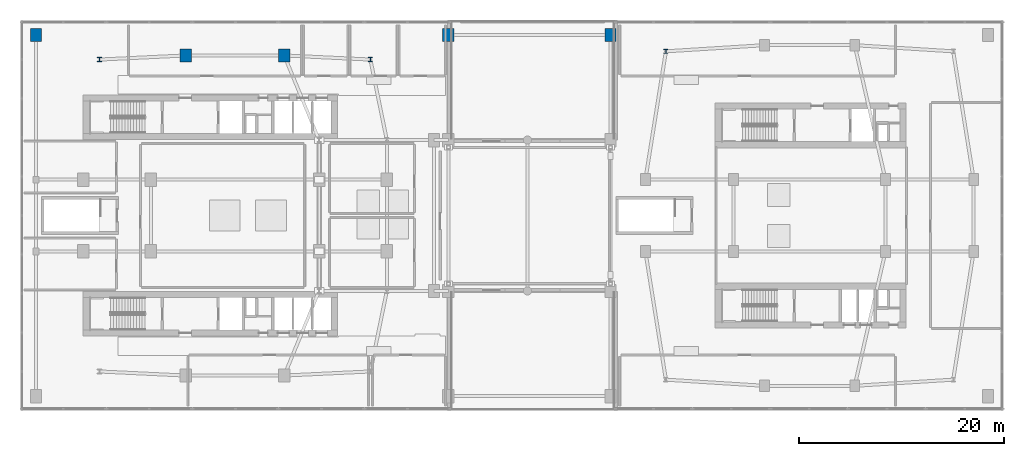
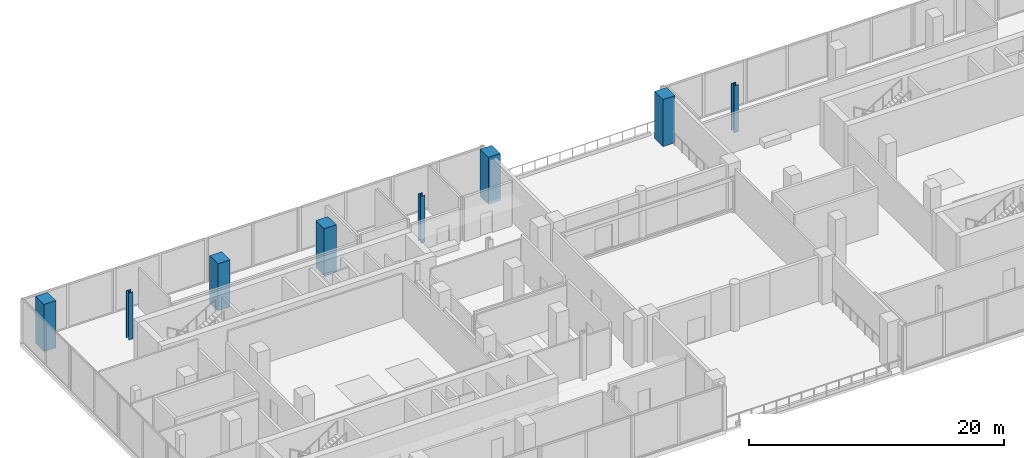
# One storey, part 2 of 21: 8 columns.
"""IFC4 building model written with IfcOpenShell, lengths in metres."""

from ifc_helpers import new_model, si_unit, derived_unit, direction, frame, origin, origin_2d, place, context, subcontext, project, spatial, rectangle, i_section, extrude, material, material_profile, profile_set, type_object, element, save


model = new_model("IFC4")

# Units and contexts
model_context = context("Model", 3, precision=1e-05, world=origin(), true_north=direction((0.0, 1.0)))
body_context = subcontext(model_context, "Body", "Model", "MODEL_VIEW")
ifc_project = project(units=[si_unit("LENGTHUNIT", "METRE"), si_unit("AREAUNIT", "SQUARE_METRE"), si_unit("VOLUMEUNIT", "CUBIC_METRE"), si_unit("PLANEANGLEUNIT", "RADIAN"), si_unit("MASSUNIT", "GRAM", prefix="KILO"), derived_unit("THERMALTRANSMITTANCEUNIT", [(si_unit("POWERUNIT", "WATT"), 1), (si_unit("LENGTHUNIT", "METRE"), -2), (si_unit("THERMODYNAMICTEMPERATUREUNIT", "KELVIN"), -1)])], contexts=[model_context])

# Site, building, storey
site_placement = place(None, origin())
site = spatial("IfcSite", under=ifc_project, at=site_placement, CompositionType="ELEMENT")
building_placement = place(site_placement, origin())
building = spatial("IfcBuilding", under=site, at=building_placement, Name="Kivonza Crest Hotel", CompositionType="ELEMENT")
storey_placement = place(building_placement, frame((0.0, 0.0, 19.5)))
storey = spatial("IfcBuildingStorey", under=building, at=storey_placement, Name="L04", CompositionType="ELEMENT", Elevation=19.5)

# Columns
ifc_material_1 = material(Name="Concrete C60/75", Category="concrete")
ifc_material_profile_1 = material_profile(ifc_material_1, rectangle(XDim=1.10009765625, YDim=1.300048828125, at=origin_2d()), Name="RC 1300x1100")
ifc_profile_set_1 = profile_set([ifc_material_profile_1], Name="Concrete C60/75")
column_type_1 = type_object("IfcColumnType", Name="CL-RC-1300x1100", PredefinedType="COLUMN", material=ifc_profile_set_1)
for number, where, z_axis, x_axis, name in (
    (1, (16.199951171875, 40.60009765625, 0.0), (0.0, 0.0, 1.0), (1.0, 0.0, 0.0), "Tower T1 L04 column N1"),
    (2, (25.800048828125, 40.60009765625, 0.0), (0.0, 0.0, 1.0), (1.0, 0.0, 0.0), "Tower T1 L04 column N2"),
    (3, (1.60009765625, 42.60009765625, 0.0), (0.0, 0.0, 1.0), (1.0, 0.0, 0.0), "Podium L04 column PN41"),
    (4, (41.800048828125, 42.60009765625, 0.0), (0.0, 0.0, 1.0), (1.0, 0.0, 0.0), "Podium L04 column PN42"),
    (5, (57.60009765625, 42.60009765625, 0.0), (0.0, 0.0, 1.0), (1.0, 0.0, 0.0), "Podium L04 column PN43"),
):
    element("IfcColumn", number, at=place(storey_placement, frame(where, z_axis=z_axis, x_axis=x_axis)), inside=storey, type_object=column_type_1, Name=name, PredefinedType="COLUMN", context=body_context, shape_type="SweptSolid", body=[
        extrude(rectangle(XDim=1.10009765625, YDim=1.300048828125, at=origin_2d()), origin(), (0.0, 0.0, 1.0), 4.5),
    ])
ifc_material_2 = material(Name="Steel S355", Category="steel")
ifc_material_profile_2 = material_profile(ifc_material_2, i_section(OverallWidth=0.406005859375, OverallDepth=0.416015625, WebThickness=0.02392578125, FlangeThickness=0.0390625, FilletRadius=0.014892578125, at=origin_2d()), Name="HD 400x382")
ifc_profile_set_2 = profile_set([ifc_material_profile_2], Name="Steel S355")
column_type_2 = type_object("IfcColumnType", Name="CL-ST-HD400", PredefinedType="COLUMN", material=ifc_profile_set_2)
for number, where, z_axis, x_axis, name in (
    (6, (34.199951171875, 40.199951171875, 0.0), (0.0, 0.0, 1.0), (1.0, 0.0, 0.0), "Tower T1 L04 column NE"),
    (7, (7.800048828125, 40.199951171875, 0.0), (0.0, 0.0, 1.0), (1.0, 0.0, 0.0), "Tower T1 L04 column NW"),
    (8, (63.0, 41.0, 0.0), (0.0, 0.0, 1.0), (1.0, 0.0, 0.0), "Companion Tower T2 L04 column NW"),
):
    element("IfcColumn", number, at=place(storey_placement, frame(where, z_axis=z_axis, x_axis=x_axis)), inside=storey, type_object=column_type_2, Name=name, PredefinedType="COLUMN", context=body_context, shape_type="SweptSolid", body=[
        extrude(i_section(OverallWidth=0.406005859375, OverallDepth=0.416015625, WebThickness=0.02392578125, FlangeThickness=0.0390625, FilletRadius=0.014892578125, at=origin_2d()), origin(), (0.0, 0.0, 1.0), 4.5),
    ])

save(model, "model.ifc")
